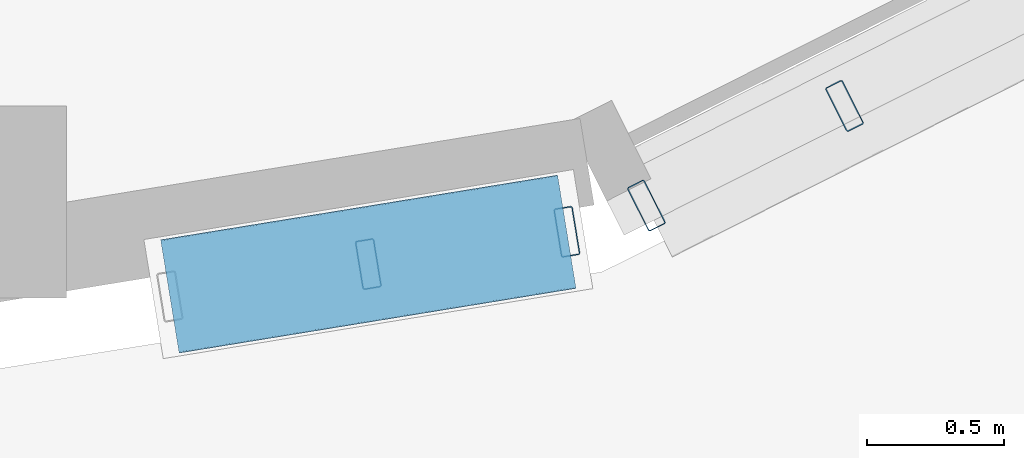
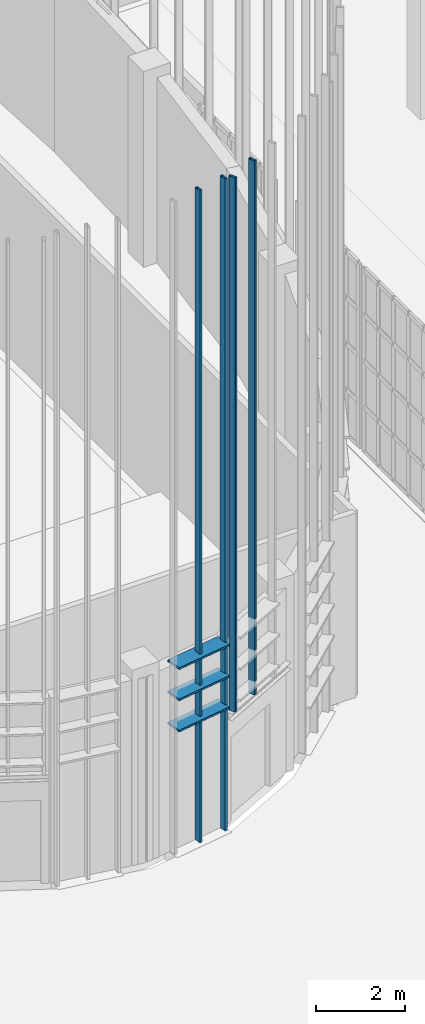
# One storey, part 255 of 372: 7 members.
"""IFC4 building model written with IfcOpenShell, lengths in metres."""

from ifc_helpers import new_model, si_unit, direction, frame, origin, origin_2d, place, context, subcontext, project, spatial, hollow_rectangle, extrude, material, material_profile, profile_set, type_object, element, save


model = new_model("IFC4")

# Units and contexts
model_context = context("Model", 3, precision=1e-05, world=origin(), true_north=direction((0.0, 1.0)))
body_context = subcontext(model_context, "Body", "Model", "MODEL_VIEW")
ifc_project = project(units=[si_unit("LENGTHUNIT", "METRE"), si_unit("AREAUNIT", "SQUARE_METRE"), si_unit("VOLUMEUNIT", "CUBIC_METRE"), si_unit("PLANEANGLEUNIT", "RADIAN"), si_unit("MASSUNIT", "GRAM", prefix="KILO")], contexts=[model_context])

# Site, building, storey
site_placement = place(None, origin())
site = spatial("IfcSite", under=ifc_project, at=site_placement, CompositionType="ELEMENT")
building_placement = place(site_placement, origin())
building = spatial("IfcBuilding", under=site, at=building_placement, Name="Kaelora Sail Theatre", CompositionType="ELEMENT")
storey_placement = place(building_placement, origin())
storey = spatial("IfcBuildingStorey", under=building, at=storey_placement, Name="L00", CompositionType="ELEMENT", Elevation=0.0)

# Members
ifc_material_1 = material(Name="Anodised aluminium 6063-T6", Category="aluminium")
ifc_material_profile_1 = material_profile(ifc_material_1, hollow_rectangle(XDim=0.419921875, YDim=0.054931640625, WallThickness=0.00390625, InnerFilletRadius=0.00390625, OuterFilletRadius=0.008056640625, at=origin_2d()), Name="LOUVRE 420x55x4")
ifc_profile_set_1 = profile_set([ifc_material_profile_1], Name="Anodised aluminium 6063-T6")
member_type_1 = type_object("IfcMemberType", Name="ARC-MEM-LVR-420", PredefinedType="USERDEFINED", material=ifc_profile_set_1)
for number, where, z_axis, x_axis, name in (
    (1, (137.324462890625, 23.93115234375, 3.449951171875), (-0.986990076576, -0.160781182795, 0.0), (0.160781182795, -0.986990076576, 0.0), "Black-Box and Experimental Sail Wing horizontal solar louvre C10-01"),
    (2, (137.324462890625, 23.93115234375, 4.31005859375), (-0.986990076576, -0.160781182795, 0.0), (0.160781182795, -0.986990076576, 0.0), "Black-Box and Experimental Sail Wing horizontal solar louvre C10-02"),
    (3, (137.324462890625, 23.93115234375, 5.169921875), (-0.986990076576, -0.160781182795, 0.0), (0.160781182795, -0.986990076576, 0.0), "Black-Box and Experimental Sail Wing horizontal solar louvre C10-03"),
):
    element("IfcMember", number, at=place(storey_placement, frame(where, z_axis=z_axis, x_axis=x_axis)), inside=storey, type_object=member_type_1, Name=name, ObjectType="LOUVRE", PredefinedType="USERDEFINED", context=body_context, shape_type="SweptSolid", body=[
        extrude(hollow_rectangle(XDim=0.419921875, YDim=0.054931640625, WallThickness=0.00390625, InnerFilletRadius=0.00390625, OuterFilletRadius=0.008056640625, at=origin_2d()), origin(), (0.0, 0.0, 1.0), 1.466796875),
    ])
ifc_material_2 = material(Name="Anodised aluminium 6063-T6", Category="aluminium")
ifc_material_profile_2 = material_profile(ifc_material_2, hollow_rectangle(XDim=0.070068359375, YDim=0.179931640625, WallThickness=0.00390625, InnerFilletRadius=0.00390625, OuterFilletRadius=0.008056640625, at=origin_2d()), Name="ALU-MULL 70x180x4")
ifc_profile_set_2 = profile_set([ifc_material_profile_2], Name="Anodised aluminium 6063-T6")
member_type_2 = type_object("IfcMemberType", Name="ARC-MEM-PST-160", PredefinedType="POST", material=ifc_profile_set_2)
for number, where, z_axis, x_axis, name in (
    (4, (138.3369140625, 24.389892578125, 3.10009765625), (0.0, 0.0, 1.0), (-0.893371388328, -0.449318998616, 0.0), "Black-Box and Experimental Sail Wing solar louvre vertical support post C9-2"),
    (5, (137.614501953125, 24.026611328125, 3.10009765625), (0.0, 0.0, 1.0), (-0.893371388328, -0.449318998616, 0.0), "Black-Box and Experimental Sail Wing solar louvre vertical support post C9-3"),
):
    element("IfcMember", number, at=place(storey_placement, frame(where, z_axis=z_axis, x_axis=x_axis)), inside=storey, type_object=member_type_2, Name=name, PredefinedType="POST", context=body_context, shape_type="SweptSolid", body=[
        extrude(hollow_rectangle(XDim=0.070068359375, YDim=0.179931640625, WallThickness=0.00390625, InnerFilletRadius=0.00390625, OuterFilletRadius=0.008056640625, at=origin_2d()), origin(), (0.0, 0.0, 1.0), 14.72802734375),
    ])
for number, where, z_axis, x_axis, name in (
    (6, (137.324462890625, 23.93115234375, 0.0), (0.0, 0.0, 1.0), (-0.986968296657, -0.160914826518, 0.0), "Black-Box and Experimental Sail Wing solar louvre vertical support post C10-1"),
    (7, (136.6005859375, 23.813232421875, 0.0), (0.0, 0.0, 1.0), (-0.986968296657, -0.160914826518, 0.0), "Black-Box and Experimental Sail Wing solar louvre vertical support post C10-2"),
):
    element("IfcMember", number, at=place(storey_placement, frame(where, z_axis=z_axis, x_axis=x_axis)), inside=storey, type_object=member_type_2, Name=name, PredefinedType="POST", context=body_context, shape_type="SweptSolid", body=[
        extrude(hollow_rectangle(XDim=0.070068359375, YDim=0.179931640625, WallThickness=0.00390625, InnerFilletRadius=0.00390625, OuterFilletRadius=0.008056640625, at=origin_2d()), origin(), (0.0, 0.0, 1.0), 17.973388671875),
    ])

save(model, "model.ifc")
